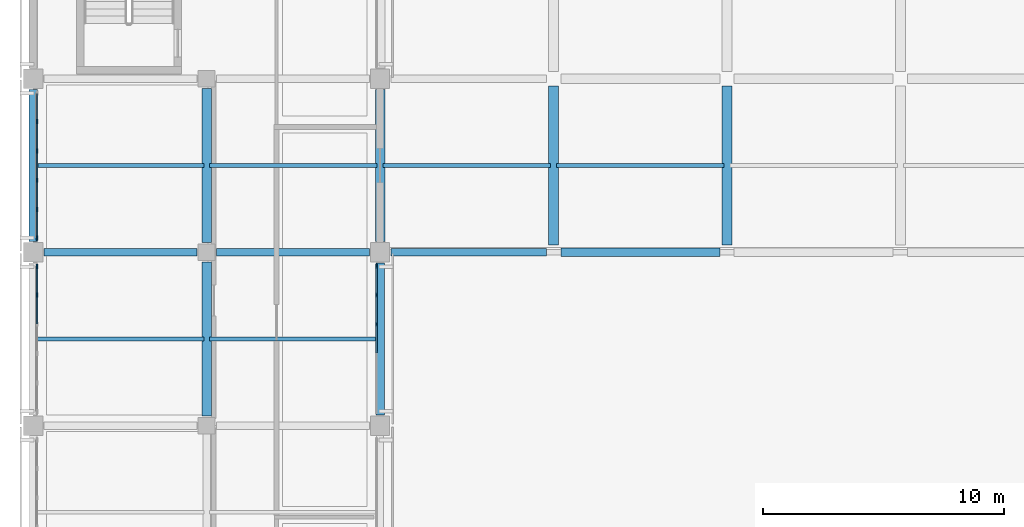
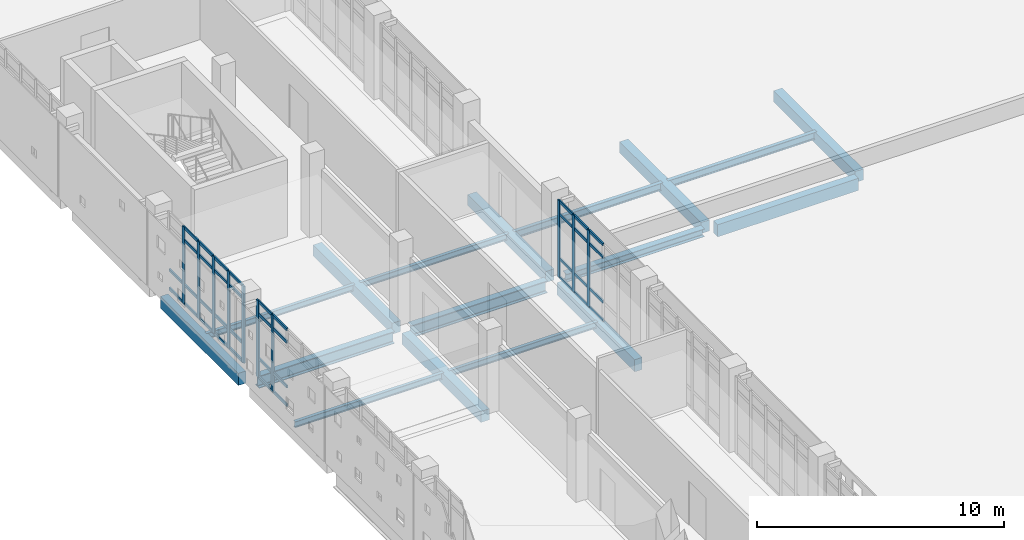
# One storey, part 8 of 51: 48 members, 17 beams, 3 elements without a shape of their own.
"""IFC4 building model written with IfcOpenShell, lengths in metres."""

from ifc_helpers import new_model, si_unit, direction, frame, origin, origin_2d, place, context, subcontext, project, spatial, rectangle, i_section, extrude, material, layer, layer_set, material_profile, profile_set, type_object, element, aggregate, save


model = new_model("IFC4")

# Units and contexts
model_context = context("Model", 3, precision=1e-05, world=origin(), true_north=direction((0.0, 1.0)))
body_context = subcontext(model_context, "Body", "Model", "MODEL_VIEW")
ifc_project = project(units=[si_unit("LENGTHUNIT", "METRE"), si_unit("AREAUNIT", "SQUARE_METRE"), si_unit("VOLUMEUNIT", "CUBIC_METRE"), si_unit("PLANEANGLEUNIT", "RADIAN"), si_unit("MASSUNIT", "GRAM", prefix="KILO")], contexts=[model_context])

# Site, building, storey
site_placement = place(None, origin())
site = spatial("IfcSite", under=ifc_project, at=site_placement, CompositionType="ELEMENT")
building_placement = place(site_placement, origin())
building = spatial("IfcBuilding", under=site, at=building_placement, Name="Valkovuoma Quantum and Materials Research Institute", CompositionType="ELEMENT")
storey_placement = place(building_placement, frame((0.0, 0.0, 17.280029296875)))
storey = spatial("IfcBuildingStorey", under=building, at=storey_placement, Name="L04", CompositionType="ELEMENT", Elevation=17.280029296875)

# Beams
ifc_material_1 = material(Name="Steel S355J2", Category="steel")
ifc_material_profile_1 = material_profile(ifc_material_1, i_section(OverallWidth=0.300048828125, OverallDepth=0.389892578125, WebThickness=0.010986328125, FlangeThickness=0.01904296875, FilletRadius=0.027099609375, at=origin_2d()), Name="Steel S355J2")
ifc_profile_set_1 = profile_set([ifc_material_profile_1], Name="Steel S355J2")
beam_type_1 = type_object("IfcBeamType", Name="Beam-B-HEA400", PredefinedType="SPANDREL", material=ifc_profile_set_1)
beam_1_placement = place(storey_placement, frame((14.85009765625, 64.800048828125, -0.544921875), z_axis=(1.0, 0.0, 0.0), x_axis=(0.0, 1.0, 0.0)))
element("IfcBeam", 1, at=beam_1_placement, inside=storey, type_object=beam_type_1, Name="L04 beam X-1844", PredefinedType="SPANDREL", context=body_context, shape_type="SweptSolid", body=[
    extrude(i_section(OverallWidth=0.300048828125, OverallDepth=0.389892578125, WebThickness=0.010986328125, FlangeThickness=0.01904296875, FilletRadius=0.027099609375, at=origin_2d()), origin(), (0.0, 0.0, 1.0), 6.449951171875),
])
ifc_material_2 = material(Name="Steel S355J2", Category="steel")
ifc_material_profile_2 = material_profile(ifc_material_2, i_section(OverallWidth=0.300048828125, OverallDepth=0.60009765625, WebThickness=0.015380859375, FlangeThickness=0.030029296875, FilletRadius=0.027099609375, at=origin_2d()), Name="Steel S355J2")
ifc_profile_set_2 = profile_set([ifc_material_profile_2], Name="Steel S355J2")
beam_type_2 = type_object("IfcBeamType", Name="Beam-B-HEB600", PredefinedType="BEAM", material=ifc_profile_set_2)
beam_2_placement = place(storey_placement, frame((0.449951171875, 64.800048828125, -0.650146484375), z_axis=(1.0, 0.0, 0.0), x_axis=(0.0, 1.0, 0.0)))
element("IfcBeam", 2, at=beam_2_placement, inside=storey, type_object=beam_type_2, Name="L04 beam X-1842", PredefinedType="BEAM", context=body_context, shape_type="SweptSolid", body=[
    extrude(i_section(OverallWidth=0.300048828125, OverallDepth=0.60009765625, WebThickness=0.015380859375, FlangeThickness=0.030029296875, FilletRadius=0.027099609375, at=origin_2d()), origin(), (0.0, 0.0, 1.0), 6.35009765625),
])
beam_3_placement = place(storey_placement, frame((7.60009765625, 64.800048828125, -0.650146484375), z_axis=(1.0, 0.0, 0.0), x_axis=(0.0, 1.0, 0.0)))
element("IfcBeam", 3, at=beam_3_placement, inside=storey, type_object=beam_type_2, Name="L04 beam X-1843", PredefinedType="BEAM", context=body_context, shape_type="SweptSolid", body=[
    extrude(i_section(OverallWidth=0.300048828125, OverallDepth=0.60009765625, WebThickness=0.015380859375, FlangeThickness=0.030029296875, FilletRadius=0.027099609375, at=origin_2d()), origin(), (0.0, 0.0, 1.0), 6.349853515625),
])
ifc_material_3 = material(Name="Steel S355J2", Category="steel")
ifc_material_profile_3 = material_profile(ifc_material_3, i_section(OverallWidth=0.14990234375, OverallDepth=0.300048828125, WebThickness=0.007080078125, FlangeThickness=0.0107421875, FilletRadius=0.014892578125, at=origin_2d()), Name="Steel S355J2")
ifc_profile_set_3 = profile_set([ifc_material_profile_3], Name="Steel S355J2")
beam_type_3 = type_object("IfcBeamType", Name="Beam-B-JST300", PredefinedType="JOIST", material=ifc_profile_set_3)
for number, where, z_axis, x_axis, name in (
    (4, (0.1201171875, 61.199951171875, -0.5), (1.0, 0.0, 0.0), (0.0, 1.0, 0.0), "L04 floor joist 2040"),
    (5, (7.320068359375, 61.199951171875, -0.5), (1.0, 0.0, 0.0), (0.0, 1.0, 0.0), "L04 floor joist 2041"),
    (6, (0.1201171875, 68.39990234375, -0.5), (1.0, 0.0, 0.0), (0.0, 1.0, 0.0), "L04 floor joist 2046"),
    (7, (7.320068359375, 68.39990234375, -0.5), (1.0, 0.0, 0.0), (0.0, 1.0, 0.0), "L04 floor joist 2047"),
):
    element("IfcBeam", number, at=place(storey_placement, frame(where, z_axis=z_axis, x_axis=x_axis)), inside=storey, type_object=beam_type_3, Name=name, PredefinedType="JOIST", context=body_context, shape_type="SweptSolid", body=[
        extrude(i_section(OverallWidth=0.14990234375, OverallDepth=0.300048828125, WebThickness=0.007080078125, FlangeThickness=0.0107421875, FilletRadius=0.014892578125, at=origin_2d()), origin(), (0.0, 0.0, 1.0), 6.9599609375),
    ])
ifc_material_4 = material(Name="Steel S355J2", Category="steel")
ifc_material_profile_4 = material_profile(ifc_material_4, i_section(OverallWidth=0.169921875, OverallDepth=0.360107421875, WebThickness=0.008056640625, FlangeThickness=0.0126953125, FilletRadius=0.01806640625, at=origin_2d()), Name="Steel S355J2")
ifc_profile_set_4 = profile_set([ifc_material_profile_4], Name="Steel S355J2")
beam_type_4 = type_object("IfcBeamType", Name="Beam-B-JST360", PredefinedType="JOIST", material=ifc_profile_set_4)
for number, where, z_axis, x_axis, name in (
    (8, (14.52001953125, 68.39990234375, -0.530029296875), (1.0, 0.0, 0.0), (0.0, 1.0, 0.0), "L04 floor joist 2048"),
    (9, (21.719970703125, 68.39990234375, -0.530029296875), (1.0, 0.0, 0.0), (0.0, 1.0, 0.0), "L04 floor joist 2049"),
):
    element("IfcBeam", number, at=place(storey_placement, frame(where, z_axis=z_axis, x_axis=x_axis)), inside=storey, type_object=beam_type_4, Name=name, PredefinedType="JOIST", context=body_context, shape_type="SweptSolid", body=[
        extrude(i_section(OverallWidth=0.169921875, OverallDepth=0.360107421875, WebThickness=0.008056640625, FlangeThickness=0.0126953125, FilletRadius=0.01806640625, at=origin_2d()), origin(), (0.0, 0.0, 1.0), 6.9599609375),
    ])
ifc_material_5 = material(Name="Concrete C40/50", Category="concrete")
ifc_material_profile_5 = material_profile(ifc_material_5, rectangle(XDim=0.39990234375, YDim=0.550048828125, at=origin_2d()), Name="Concrete C40/50")
ifc_profile_set_5 = profile_set([ifc_material_profile_5], Name="Concrete C40/50")
beam_type_5 = type_object("IfcBeamType", Name="Beam-B-RC550", PredefinedType="BEAM", material=ifc_profile_set_5)
beam_4_placement = place(storey_placement, frame((7.199951171875, 58.0, -0.625), z_axis=(0.0, 1.0, 0.0), x_axis=(-1.0, 0.0, 0.0)))
element("IfcBeam", 10, at=beam_4_placement, inside=storey, type_object=beam_type_5, Name="L04 beam Y-1922", PredefinedType="BEAM", context=body_context, shape_type="SweptSolid", body=[
    extrude(rectangle(XDim=0.39990234375, YDim=0.550048828125, at=origin_2d()), origin(), (0.0, 0.0, 1.0), 6.39990234375),
])
beam_5_placement = place(storey_placement, frame((7.199951171875, 65.199951171875, -0.625), z_axis=(0.0, 1.0, 0.0), x_axis=(-1.0, 0.0, 0.0)))
element("IfcBeam", 11, at=beam_5_placement, inside=storey, type_object=beam_type_5, Name="L04 beam Y-1923", PredefinedType="BEAM", context=body_context, shape_type="SweptSolid", body=[
    extrude(rectangle(XDim=0.39990234375, YDim=0.550048828125, at=origin_2d()), origin(), (0.0, 0.0, 1.0), 6.400146484375),
])
beam_6_placement = place(storey_placement, frame((14.39990234375, 65.25, -0.625), z_axis=(0.0, 1.0, 0.0), x_axis=(-1.0, 0.0, 0.0)))
element("IfcBeam", 12, at=beam_6_placement, inside=storey, type_object=beam_type_5, Name="L04 beam Y-1926", PredefinedType="BEAM", context=body_context, shape_type="SweptSolid", body=[
    extrude(rectangle(XDim=0.39990234375, YDim=0.550048828125, at=origin_2d()), origin(), (0.0, 0.0, 1.0), 6.300048828125),
])
for number, where, z_axis, x_axis, name in (
    (13, (21.60009765625, 65.10009765625, -0.625), (0.0, 1.0, 0.0), (-1.0, 0.0, 0.0), "L04 beam Y-1932"),
    (14, (28.800048828125, 65.10009765625, -0.625), (0.0, 1.0, 0.0), (-1.0, 0.0, 0.0), "L04 beam Y-1938"),
):
    element("IfcBeam", number, at=place(storey_placement, frame(where, z_axis=z_axis, x_axis=x_axis)), inside=storey, type_object=beam_type_5, Name=name, PredefinedType="BEAM", context=body_context, shape_type="SweptSolid", body=[
        extrude(rectangle(XDim=0.39990234375, YDim=0.550048828125, at=origin_2d()), origin(), (0.0, 0.0, 1.0), 6.599853515625),
    ])
ifc_material_6 = material(Name="Concrete C40/50", Category="concrete")
ifc_material_profile_6 = material_profile(ifc_material_6, rectangle(XDim=0.35009765625, YDim=0.60009765625, at=origin_2d()), Name="Concrete C40/50")
ifc_profile_set_6 = profile_set([ifc_material_profile_6], Name="Concrete C40/50")
beam_type_6 = type_object("IfcBeamType", Name="Beam-B-SPN600", PredefinedType="SPANDREL", material=ifc_profile_set_6)
beam_7_placement = place(storey_placement, frame((21.89990234375, 64.800048828125, -0.650146484375), z_axis=(1.0, 0.0, 0.0), x_axis=(0.0, 1.0, 0.0)))
element("IfcBeam", 15, at=beam_7_placement, inside=storey, type_object=beam_type_6, Name="L04 beam X-1845", PredefinedType="SPANDREL", context=body_context, shape_type="SweptSolid", body=[
    extrude(rectangle(XDim=0.35009765625, YDim=0.60009765625, at=origin_2d()), origin(), (0.0, 0.0, 1.0), 6.60009765625),
])
for number, where, z_axis, x_axis, name in (
    (16, (0.0, 65.25, -0.650146484375), (0.0, 1.0, 0.0), (-1.0, 0.0, 0.0), "L04 beam Y-1918"),
    (17, (14.39990234375, 58.050048828125, -0.650146484375), (0.0, 1.0, 0.0), (-1.0, 0.0, 0.0), "L04 beam Y-1925"),
):
    element("IfcBeam", number, at=place(storey_placement, frame(where, z_axis=z_axis, x_axis=x_axis)), inside=storey, type_object=beam_type_6, Name=name, PredefinedType="SPANDREL", context=body_context, shape_type="SweptSolid", body=[
        extrude(rectangle(XDim=0.35009765625, YDim=0.60009765625, at=origin_2d()), origin(), (0.0, 0.0, 1.0), 6.300048828125),
    ])

# Curtain wall, members
ifc_material_7 = material(Name="Thermally broken aluminium and triple low-E glazing", Category="aluminium")
ifc_layer = layer(ifc_material_7, 0.219970703125)
ifc_layer_set = layer_set([ifc_layer], Name="Thermally broken aluminium and triple low-E glazing")
curtain_wall_type = type_object("IfcCurtainWallType", Name="CW-CW-01", PredefinedType="NOTDEFINED", material=ifc_layer_set)
curtain_wall_1_placement = place(storey_placement, origin())
curtain_wall_1 = element("IfcCurtainWall", 18, at=curtain_wall_1_placement, inside=storey, type_object=curtain_wall_type, Name="L04 curtain wall 047", PredefinedType="NOTDEFINED")
ifc_material_8 = material(Name="Anodised aluminium 6060-T66", Category="aluminium")
ifc_material_profile_7 = material_profile(ifc_material_8, rectangle(XDim=0.06494140625, YDim=0.179931640625, at=origin_2d()), Name="Anodised aluminium 6060-T66")
ifc_profile_set_7 = profile_set([ifc_material_profile_7], Name="Anodised aluminium 6060-T66")
member_type_1 = type_object("IfcMemberType", Name="CWMull-CWM-01", PredefinedType="MULLION", material=ifc_profile_set_7)
member_1_placement = place(storey_placement, frame((0.14990234375, 63.025634765625, 0.0), z_axis=(0.0, 0.0, 1.0), x_axis=(-1.0, 0.0, 0.0)))
member_1 = element("IfcMember", 19, at=member_1_placement, type_object=member_type_1, Name="CW-01 mullion 5", PredefinedType="MULLION", context=body_context, shape_type="SweptSolid", body=[
    extrude(rectangle(XDim=0.06494140625, YDim=0.179931640625, at=origin_2d()), origin(), (0.0, 0.0, 1.0), 3.81005859375),
])
member_2_placement = place(storey_placement, frame((0.14990234375, 64.21044921875, 0.0), z_axis=(0.0, 0.0, 1.0), x_axis=(-1.0, 0.0, 0.0)))
member_2 = element("IfcMember", 20, at=member_2_placement, type_object=member_type_1, Name="CW-01 mullion 6", PredefinedType="MULLION", context=body_context, shape_type="SweptSolid", body=[
    extrude(rectangle(XDim=0.06494140625, YDim=0.179931640625, at=origin_2d()), origin(), (0.0, 0.0, 1.0), 3.81005859375),
])

curtain_wall_2_placement = place(storey_placement, origin())
curtain_wall_2 = element("IfcCurtainWall", 21, at=curtain_wall_2_placement, inside=storey, type_object=curtain_wall_type, Name="L04 curtain wall 048", PredefinedType="NOTDEFINED")
member_3_placement = place(storey_placement, frame((14.25, 61.80859375, 0.0), z_axis=(0.0, 0.0, 1.0), x_axis=(-1.0, 0.0, 0.0)))
member_3 = element("IfcMember", 22, at=member_3_placement, type_object=member_type_1, Name="CW-01 mullion 4", PredefinedType="MULLION", context=body_context, shape_type="SweptSolid", body=[
    extrude(rectangle(XDim=0.06494140625, YDim=0.179931640625, at=origin_2d()), origin(), (0.0, 0.0, 1.0), 3.81005859375),
])
member_4_placement = place(storey_placement, frame((14.25, 63.025634765625, 0.0), z_axis=(0.0, 0.0, 1.0), x_axis=(-1.0, 0.0, 0.0)))
member_4 = element("IfcMember", 23, at=member_4_placement, type_object=member_type_1, Name="CW-01 mullion 5", PredefinedType="MULLION", context=body_context, shape_type="SweptSolid", body=[
    extrude(rectangle(XDim=0.06494140625, YDim=0.179931640625, at=origin_2d()), origin(), (0.0, 0.0, 1.0), 3.81005859375),
])
member_5_placement = place(storey_placement, frame((14.25, 64.21044921875, 0.0), z_axis=(0.0, 0.0, 1.0), x_axis=(-1.0, 0.0, 0.0)))
member_5 = element("IfcMember", 24, at=member_5_placement, type_object=member_type_1, Name="CW-01 mullion 6", PredefinedType="MULLION", context=body_context, shape_type="SweptSolid", body=[
    extrude(rectangle(XDim=0.06494140625, YDim=0.179931640625, at=origin_2d()), origin(), (0.0, 0.0, 1.0), 3.81005859375),
])

curtain_wall_3_placement = place(storey_placement, origin())
curtain_wall_3 = element("IfcCurtainWall", 25, at=curtain_wall_3_placement, inside=storey, type_object=curtain_wall_type, Name="L04 curtain wall 049", PredefinedType="NOTDEFINED")
member_6_placement = place(storey_placement, frame((0.14990234375, 65.3896484375, 0.0), z_axis=(0.0, 0.0, 1.0), x_axis=(-1.0, 0.0, 0.0)))
member_6 = element("IfcMember", 26, at=member_6_placement, type_object=member_type_1, Name="CW-01 mullion 1", PredefinedType="MULLION", context=body_context, shape_type="SweptSolid", body=[
    extrude(rectangle(XDim=0.06494140625, YDim=0.179931640625, at=origin_2d()), origin(), (0.0, 0.0, 1.0), 3.81005859375),
])
member_7_placement = place(storey_placement, frame((0.14990234375, 66.57421875, 0.0), z_axis=(0.0, 0.0, 1.0), x_axis=(-1.0, 0.0, 0.0)))
member_7 = element("IfcMember", 27, at=member_7_placement, type_object=member_type_1, Name="CW-01 mullion 2", PredefinedType="MULLION", context=body_context, shape_type="SweptSolid", body=[
    extrude(rectangle(XDim=0.06494140625, YDim=0.179931640625, at=origin_2d()), origin(), (0.0, 0.0, 1.0), 3.81005859375),
])
member_8_placement = place(storey_placement, frame((0.14990234375, 67.79150390625, 0.0), z_axis=(0.0, 0.0, 1.0), x_axis=(-1.0, 0.0, 0.0)))
member_8 = element("IfcMember", 28, at=member_8_placement, type_object=member_type_1, Name="CW-01 mullion 3", PredefinedType="MULLION", context=body_context, shape_type="SweptSolid", body=[
    extrude(rectangle(XDim=0.06494140625, YDim=0.179931640625, at=origin_2d()), origin(), (0.0, 0.0, 1.0), 3.81005859375),
])
member_9_placement = place(storey_placement, frame((0.14990234375, 69.008544921875, 0.0), z_axis=(0.0, 0.0, 1.0), x_axis=(-1.0, 0.0, 0.0)))
member_9 = element("IfcMember", 29, at=member_9_placement, type_object=member_type_1, Name="CW-01 mullion 4", PredefinedType="MULLION", context=body_context, shape_type="SweptSolid", body=[
    extrude(rectangle(XDim=0.06494140625, YDim=0.179931640625, at=origin_2d()), origin(), (0.0, 0.0, 1.0), 3.81005859375),
])
member_10_placement = place(storey_placement, frame((0.14990234375, 70.225830078125, 0.0), z_axis=(0.0, 0.0, 1.0), x_axis=(-1.0, 0.0, 0.0)))
member_10 = element("IfcMember", 30, at=member_10_placement, type_object=member_type_1, Name="CW-01 mullion 5", PredefinedType="MULLION", context=body_context, shape_type="SweptSolid", body=[
    extrude(rectangle(XDim=0.06494140625, YDim=0.179931640625, at=origin_2d()), origin(), (0.0, 0.0, 1.0), 3.81005859375),
])

# Member
ifc_material_9 = material(Name="Anodised aluminium 6060-T66", Category="aluminium")
ifc_material_profile_8 = material_profile(ifc_material_9, rectangle(XDim=0.06494140625, YDim=0.139892578125, at=origin_2d()), Name="Anodised aluminium 6060-T66")
ifc_profile_set_8 = profile_set([ifc_material_profile_8], Name="Anodised aluminium 6060-T66")
member_type_2 = type_object("IfcMemberType", Name="CWTran-CWT-01", PredefinedType="USERDEFINED", material=ifc_profile_set_8)
member_11_placement = place(storey_placement, frame((0.14990234375, 61.841064453125, 0.032470703125), z_axis=(0.0, 1.0, 0.0), x_axis=(-1.0, 0.0, 0.0)))
member_11 = element("IfcMember", 31, at=member_11_placement, type_object=member_type_2, Name="CW-01 transom 4.1", ObjectType="TRANSOM", PredefinedType="USERDEFINED", context=body_context, shape_type="SweptSolid", body=[
    extrude(rectangle(XDim=0.06494140625, YDim=0.139892578125, at=origin_2d()), origin(), (0.0, 0.0, 1.0), 1.152099609375),
])

member_12_placement = place(storey_placement, frame((0.14990234375, 61.841064453125, 0.949951171875), z_axis=(0.0, 1.0, 0.0), x_axis=(-1.0, 0.0, 0.0)))
member_12 = element("IfcMember", 32, at=member_12_placement, type_object=member_type_2, Name="CW-01 transom 4.2", ObjectType="TRANSOM", PredefinedType="USERDEFINED", context=body_context, shape_type="SweptSolid", body=[
    extrude(rectangle(XDim=0.06494140625, YDim=0.139892578125, at=origin_2d()), origin(), (0.0, 0.0, 1.0), 1.152099609375),
])

member_13_placement = place(storey_placement, frame((0.14990234375, 61.841064453125, 3.159912109375), z_axis=(0.0, 1.0, 0.0), x_axis=(-1.0, 0.0, 0.0)))
member_13 = element("IfcMember", 33, at=member_13_placement, type_object=member_type_2, Name="CW-01 transom 4.3", ObjectType="TRANSOM", PredefinedType="USERDEFINED", context=body_context, shape_type="SweptSolid", body=[
    extrude(rectangle(XDim=0.06494140625, YDim=0.139892578125, at=origin_2d()), origin(), (0.0, 0.0, 1.0), 1.152099609375),
])

member_14_placement = place(storey_placement, frame((0.14990234375, 61.841064453125, 3.777587890625), z_axis=(0.0, 1.0, 0.0), x_axis=(-1.0, 0.0, 0.0)))
member_14 = element("IfcMember", 34, at=member_14_placement, type_object=member_type_2, Name="CW-01 transom 4.4", ObjectType="TRANSOM", PredefinedType="USERDEFINED", context=body_context, shape_type="SweptSolid", body=[
    extrude(rectangle(XDim=0.06494140625, YDim=0.139892578125, at=origin_2d()), origin(), (0.0, 0.0, 1.0), 1.152099609375),
])

member_15_placement = place(storey_placement, frame((0.14990234375, 63.058349609375, 0.032470703125), z_axis=(0.0, 1.0, 0.0), x_axis=(-1.0, 0.0, 0.0)))
member_15 = element("IfcMember", 35, at=member_15_placement, type_object=member_type_2, Name="CW-01 transom 5.1", ObjectType="TRANSOM", PredefinedType="USERDEFINED", context=body_context, shape_type="SweptSolid", body=[
    extrude(rectangle(XDim=0.06494140625, YDim=0.139892578125, at=origin_2d()), origin(), (0.0, 0.0, 1.0), 1.11962890625),
])

member_16_placement = place(storey_placement, frame((0.14990234375, 63.058349609375, 0.949951171875), z_axis=(0.0, 1.0, 0.0), x_axis=(-1.0, 0.0, 0.0)))
member_16 = element("IfcMember", 36, at=member_16_placement, type_object=member_type_2, Name="CW-01 transom 5.2", ObjectType="TRANSOM", PredefinedType="USERDEFINED", context=body_context, shape_type="SweptSolid", body=[
    extrude(rectangle(XDim=0.06494140625, YDim=0.139892578125, at=origin_2d()), origin(), (0.0, 0.0, 1.0), 1.11962890625),
])

member_17_placement = place(storey_placement, frame((0.14990234375, 63.058349609375, 3.159912109375), z_axis=(0.0, 1.0, 0.0), x_axis=(-1.0, 0.0, 0.0)))
member_17 = element("IfcMember", 37, at=member_17_placement, type_object=member_type_2, Name="CW-01 transom 5.3", ObjectType="TRANSOM", PredefinedType="USERDEFINED", context=body_context, shape_type="SweptSolid", body=[
    extrude(rectangle(XDim=0.06494140625, YDim=0.139892578125, at=origin_2d()), origin(), (0.0, 0.0, 1.0), 1.11962890625),
])

member_18_placement = place(storey_placement, frame((0.14990234375, 63.058349609375, 3.777587890625), z_axis=(0.0, 1.0, 0.0), x_axis=(-1.0, 0.0, 0.0)))
member_18 = element("IfcMember", 38, at=member_18_placement, type_object=member_type_2, Name="CW-01 transom 5.4", ObjectType="TRANSOM", PredefinedType="USERDEFINED", context=body_context, shape_type="SweptSolid", body=[
    extrude(rectangle(XDim=0.06494140625, YDim=0.139892578125, at=origin_2d()), origin(), (0.0, 0.0, 1.0), 1.11962890625),
])

aggregate(curtain_wall_1, [member_1, member_2, member_11, member_12, member_13, member_14, member_15, member_16, member_17, member_18])

member_19_placement = place(storey_placement, frame((14.25, 60.6240234375, 0.032470703125), z_axis=(0.0, 1.0, 0.0), x_axis=(-1.0, 0.0, 0.0)))
member_19 = element("IfcMember", 39, at=member_19_placement, type_object=member_type_2, Name="CW-01 transom 3.1", ObjectType="TRANSOM", PredefinedType="USERDEFINED", context=body_context, shape_type="SweptSolid", body=[
    extrude(rectangle(XDim=0.06494140625, YDim=0.139892578125, at=origin_2d()), origin(), (0.0, 0.0, 1.0), 1.152099609375),
])

member_20_placement = place(storey_placement, frame((14.25, 60.6240234375, 0.949951171875), z_axis=(0.0, 1.0, 0.0), x_axis=(-1.0, 0.0, 0.0)))
member_20 = element("IfcMember", 40, at=member_20_placement, type_object=member_type_2, Name="CW-01 transom 3.2", ObjectType="TRANSOM", PredefinedType="USERDEFINED", context=body_context, shape_type="SweptSolid", body=[
    extrude(rectangle(XDim=0.06494140625, YDim=0.139892578125, at=origin_2d()), origin(), (0.0, 0.0, 1.0), 1.152099609375),
])

member_21_placement = place(storey_placement, frame((14.25, 60.6240234375, 3.159912109375), z_axis=(0.0, 1.0, 0.0), x_axis=(-1.0, 0.0, 0.0)))
member_21 = element("IfcMember", 41, at=member_21_placement, type_object=member_type_2, Name="CW-01 transom 3.3", ObjectType="TRANSOM", PredefinedType="USERDEFINED", context=body_context, shape_type="SweptSolid", body=[
    extrude(rectangle(XDim=0.06494140625, YDim=0.139892578125, at=origin_2d()), origin(), (0.0, 0.0, 1.0), 1.152099609375),
])

member_22_placement = place(storey_placement, frame((14.25, 60.6240234375, 3.777587890625), z_axis=(0.0, 1.0, 0.0), x_axis=(-1.0, 0.0, 0.0)))
member_22 = element("IfcMember", 42, at=member_22_placement, type_object=member_type_2, Name="CW-01 transom 3.4", ObjectType="TRANSOM", PredefinedType="USERDEFINED", context=body_context, shape_type="SweptSolid", body=[
    extrude(rectangle(XDim=0.06494140625, YDim=0.139892578125, at=origin_2d()), origin(), (0.0, 0.0, 1.0), 1.152099609375),
])

member_23_placement = place(storey_placement, frame((14.25, 61.841064453125, 0.032470703125), z_axis=(0.0, 1.0, 0.0), x_axis=(-1.0, 0.0, 0.0)))
member_23 = element("IfcMember", 43, at=member_23_placement, type_object=member_type_2, Name="CW-01 transom 4.1", ObjectType="TRANSOM", PredefinedType="USERDEFINED", context=body_context, shape_type="SweptSolid", body=[
    extrude(rectangle(XDim=0.06494140625, YDim=0.139892578125, at=origin_2d()), origin(), (0.0, 0.0, 1.0), 1.152099609375),
])

member_24_placement = place(storey_placement, frame((14.25, 61.841064453125, 0.949951171875), z_axis=(0.0, 1.0, 0.0), x_axis=(-1.0, 0.0, 0.0)))
member_24 = element("IfcMember", 44, at=member_24_placement, type_object=member_type_2, Name="CW-01 transom 4.2", ObjectType="TRANSOM", PredefinedType="USERDEFINED", context=body_context, shape_type="SweptSolid", body=[
    extrude(rectangle(XDim=0.06494140625, YDim=0.139892578125, at=origin_2d()), origin(), (0.0, 0.0, 1.0), 1.152099609375),
])

member_25_placement = place(storey_placement, frame((14.25, 61.841064453125, 3.159912109375), z_axis=(0.0, 1.0, 0.0), x_axis=(-1.0, 0.0, 0.0)))
member_25 = element("IfcMember", 45, at=member_25_placement, type_object=member_type_2, Name="CW-01 transom 4.3", ObjectType="TRANSOM", PredefinedType="USERDEFINED", context=body_context, shape_type="SweptSolid", body=[
    extrude(rectangle(XDim=0.06494140625, YDim=0.139892578125, at=origin_2d()), origin(), (0.0, 0.0, 1.0), 1.152099609375),
])

member_26_placement = place(storey_placement, frame((14.25, 61.841064453125, 3.777587890625), z_axis=(0.0, 1.0, 0.0), x_axis=(-1.0, 0.0, 0.0)))
member_26 = element("IfcMember", 46, at=member_26_placement, type_object=member_type_2, Name="CW-01 transom 4.4", ObjectType="TRANSOM", PredefinedType="USERDEFINED", context=body_context, shape_type="SweptSolid", body=[
    extrude(rectangle(XDim=0.06494140625, YDim=0.139892578125, at=origin_2d()), origin(), (0.0, 0.0, 1.0), 1.152099609375),
])

member_27_placement = place(storey_placement, frame((14.25, 63.058349609375, 0.032470703125), z_axis=(0.0, 1.0, 0.0), x_axis=(-1.0, 0.0, 0.0)))
member_27 = element("IfcMember", 47, at=member_27_placement, type_object=member_type_2, Name="CW-01 transom 5.1", ObjectType="TRANSOM", PredefinedType="USERDEFINED", context=body_context, shape_type="SweptSolid", body=[
    extrude(rectangle(XDim=0.06494140625, YDim=0.139892578125, at=origin_2d()), origin(), (0.0, 0.0, 1.0), 1.11962890625),
])

member_28_placement = place(storey_placement, frame((14.25, 63.058349609375, 0.949951171875), z_axis=(0.0, 1.0, 0.0), x_axis=(-1.0, 0.0, 0.0)))
member_28 = element("IfcMember", 48, at=member_28_placement, type_object=member_type_2, Name="CW-01 transom 5.2", ObjectType="TRANSOM", PredefinedType="USERDEFINED", context=body_context, shape_type="SweptSolid", body=[
    extrude(rectangle(XDim=0.06494140625, YDim=0.139892578125, at=origin_2d()), origin(), (0.0, 0.0, 1.0), 1.11962890625),
])

member_29_placement = place(storey_placement, frame((14.25, 63.058349609375, 3.159912109375), z_axis=(0.0, 1.0, 0.0), x_axis=(-1.0, 0.0, 0.0)))
member_29 = element("IfcMember", 49, at=member_29_placement, type_object=member_type_2, Name="CW-01 transom 5.3", ObjectType="TRANSOM", PredefinedType="USERDEFINED", context=body_context, shape_type="SweptSolid", body=[
    extrude(rectangle(XDim=0.06494140625, YDim=0.139892578125, at=origin_2d()), origin(), (0.0, 0.0, 1.0), 1.11962890625),
])

member_30_placement = place(storey_placement, frame((14.25, 63.058349609375, 3.777587890625), z_axis=(0.0, 1.0, 0.0), x_axis=(-1.0, 0.0, 0.0)))
member_30 = element("IfcMember", 50, at=member_30_placement, type_object=member_type_2, Name="CW-01 transom 5.4", ObjectType="TRANSOM", PredefinedType="USERDEFINED", context=body_context, shape_type="SweptSolid", body=[
    extrude(rectangle(XDim=0.06494140625, YDim=0.139892578125, at=origin_2d()), origin(), (0.0, 0.0, 1.0), 1.11962890625),
])

aggregate(curtain_wall_2, [member_3, member_4, member_5, member_19, member_20, member_21, member_22, member_23, member_24, member_25, member_26, member_27, member_28, member_29, member_30])

member_31_placement = place(storey_placement, frame((0.14990234375, 65.422119140625, 0.032470703125), z_axis=(0.0, 1.0, 0.0), x_axis=(-1.0, 0.0, 0.0)))
member_31 = element("IfcMember", 51, at=member_31_placement, type_object=member_type_2, Name="CW-01 transom 1.1", ObjectType="TRANSOM", PredefinedType="USERDEFINED", context=body_context, shape_type="SweptSolid", body=[
    extrude(rectangle(XDim=0.06494140625, YDim=0.139892578125, at=origin_2d()), origin(), (0.0, 0.0, 1.0), 1.11962890625),
])

member_32_placement = place(storey_placement, frame((0.14990234375, 65.422119140625, 0.949951171875), z_axis=(0.0, 1.0, 0.0), x_axis=(-1.0, 0.0, 0.0)))
member_32 = element("IfcMember", 52, at=member_32_placement, type_object=member_type_2, Name="CW-01 transom 1.2", ObjectType="TRANSOM", PredefinedType="USERDEFINED", context=body_context, shape_type="SweptSolid", body=[
    extrude(rectangle(XDim=0.06494140625, YDim=0.139892578125, at=origin_2d()), origin(), (0.0, 0.0, 1.0), 1.11962890625),
])

member_33_placement = place(storey_placement, frame((0.14990234375, 65.422119140625, 3.159912109375), z_axis=(0.0, 1.0, 0.0), x_axis=(-1.0, 0.0, 0.0)))
member_33 = element("IfcMember", 53, at=member_33_placement, type_object=member_type_2, Name="CW-01 transom 1.3", ObjectType="TRANSOM", PredefinedType="USERDEFINED", context=body_context, shape_type="SweptSolid", body=[
    extrude(rectangle(XDim=0.06494140625, YDim=0.139892578125, at=origin_2d()), origin(), (0.0, 0.0, 1.0), 1.11962890625),
])

member_34_placement = place(storey_placement, frame((0.14990234375, 65.422119140625, 3.777587890625), z_axis=(0.0, 1.0, 0.0), x_axis=(-1.0, 0.0, 0.0)))
member_34 = element("IfcMember", 54, at=member_34_placement, type_object=member_type_2, Name="CW-01 transom 1.4", ObjectType="TRANSOM", PredefinedType="USERDEFINED", context=body_context, shape_type="SweptSolid", body=[
    extrude(rectangle(XDim=0.06494140625, YDim=0.139892578125, at=origin_2d()), origin(), (0.0, 0.0, 1.0), 1.11962890625),
])

member_35_placement = place(storey_placement, frame((0.14990234375, 66.606689453125, 0.032470703125), z_axis=(0.0, 1.0, 0.0), x_axis=(-1.0, 0.0, 0.0)))
member_35 = element("IfcMember", 55, at=member_35_placement, type_object=member_type_2, Name="CW-01 transom 2.1", ObjectType="TRANSOM", PredefinedType="USERDEFINED", context=body_context, shape_type="SweptSolid", body=[
    extrude(rectangle(XDim=0.06494140625, YDim=0.139892578125, at=origin_2d()), origin(), (0.0, 0.0, 1.0), 1.15234375),
])

member_36_placement = place(storey_placement, frame((0.14990234375, 66.606689453125, 0.949951171875), z_axis=(0.0, 1.0, 0.0), x_axis=(-1.0, 0.0, 0.0)))
member_36 = element("IfcMember", 56, at=member_36_placement, type_object=member_type_2, Name="CW-01 transom 2.2", ObjectType="TRANSOM", PredefinedType="USERDEFINED", context=body_context, shape_type="SweptSolid", body=[
    extrude(rectangle(XDim=0.06494140625, YDim=0.139892578125, at=origin_2d()), origin(), (0.0, 0.0, 1.0), 1.15234375),
])

member_37_placement = place(storey_placement, frame((0.14990234375, 66.606689453125, 3.159912109375), z_axis=(0.0, 1.0, 0.0), x_axis=(-1.0, 0.0, 0.0)))
member_37 = element("IfcMember", 57, at=member_37_placement, type_object=member_type_2, Name="CW-01 transom 2.3", ObjectType="TRANSOM", PredefinedType="USERDEFINED", context=body_context, shape_type="SweptSolid", body=[
    extrude(rectangle(XDim=0.06494140625, YDim=0.139892578125, at=origin_2d()), origin(), (0.0, 0.0, 1.0), 1.15234375),
])

member_38_placement = place(storey_placement, frame((0.14990234375, 66.606689453125, 3.777587890625), z_axis=(0.0, 1.0, 0.0), x_axis=(-1.0, 0.0, 0.0)))
member_38 = element("IfcMember", 58, at=member_38_placement, type_object=member_type_2, Name="CW-01 transom 2.4", ObjectType="TRANSOM", PredefinedType="USERDEFINED", context=body_context, shape_type="SweptSolid", body=[
    extrude(rectangle(XDim=0.06494140625, YDim=0.139892578125, at=origin_2d()), origin(), (0.0, 0.0, 1.0), 1.15234375),
])

member_39_placement = place(storey_placement, frame((0.14990234375, 67.823974609375, 0.032470703125), z_axis=(0.0, 1.0, 0.0), x_axis=(-1.0, 0.0, 0.0)))
member_39 = element("IfcMember", 59, at=member_39_placement, type_object=member_type_2, Name="CW-01 transom 3.1", ObjectType="TRANSOM", PredefinedType="USERDEFINED", context=body_context, shape_type="SweptSolid", body=[
    extrude(rectangle(XDim=0.06494140625, YDim=0.139892578125, at=origin_2d()), origin(), (0.0, 0.0, 1.0), 1.152099609375),
])

member_40_placement = place(storey_placement, frame((0.14990234375, 67.823974609375, 0.949951171875), z_axis=(0.0, 1.0, 0.0), x_axis=(-1.0, 0.0, 0.0)))
member_40 = element("IfcMember", 60, at=member_40_placement, type_object=member_type_2, Name="CW-01 transom 3.2", ObjectType="TRANSOM", PredefinedType="USERDEFINED", context=body_context, shape_type="SweptSolid", body=[
    extrude(rectangle(XDim=0.06494140625, YDim=0.139892578125, at=origin_2d()), origin(), (0.0, 0.0, 1.0), 1.152099609375),
])

member_41_placement = place(storey_placement, frame((0.14990234375, 67.823974609375, 3.159912109375), z_axis=(0.0, 1.0, 0.0), x_axis=(-1.0, 0.0, 0.0)))
member_41 = element("IfcMember", 61, at=member_41_placement, type_object=member_type_2, Name="CW-01 transom 3.3", ObjectType="TRANSOM", PredefinedType="USERDEFINED", context=body_context, shape_type="SweptSolid", body=[
    extrude(rectangle(XDim=0.06494140625, YDim=0.139892578125, at=origin_2d()), origin(), (0.0, 0.0, 1.0), 1.152099609375),
])

member_42_placement = place(storey_placement, frame((0.14990234375, 67.823974609375, 3.777587890625), z_axis=(0.0, 1.0, 0.0), x_axis=(-1.0, 0.0, 0.0)))
member_42 = element("IfcMember", 62, at=member_42_placement, type_object=member_type_2, Name="CW-01 transom 3.4", ObjectType="TRANSOM", PredefinedType="USERDEFINED", context=body_context, shape_type="SweptSolid", body=[
    extrude(rectangle(XDim=0.06494140625, YDim=0.139892578125, at=origin_2d()), origin(), (0.0, 0.0, 1.0), 1.152099609375),
])

member_43_placement = place(storey_placement, frame((0.14990234375, 69.041015625, 0.032470703125), z_axis=(0.0, 1.0, 0.0), x_axis=(-1.0, 0.0, 0.0)))
member_43 = element("IfcMember", 63, at=member_43_placement, type_object=member_type_2, Name="CW-01 transom 4.1", ObjectType="TRANSOM", PredefinedType="USERDEFINED", context=body_context, shape_type="SweptSolid", body=[
    extrude(rectangle(XDim=0.06494140625, YDim=0.139892578125, at=origin_2d()), origin(), (0.0, 0.0, 1.0), 1.15234375),
])

member_44_placement = place(storey_placement, frame((0.14990234375, 69.041015625, 0.949951171875), z_axis=(0.0, 1.0, 0.0), x_axis=(-1.0, 0.0, 0.0)))
member_44 = element("IfcMember", 64, at=member_44_placement, type_object=member_type_2, Name="CW-01 transom 4.2", ObjectType="TRANSOM", PredefinedType="USERDEFINED", context=body_context, shape_type="SweptSolid", body=[
    extrude(rectangle(XDim=0.06494140625, YDim=0.139892578125, at=origin_2d()), origin(), (0.0, 0.0, 1.0), 1.15234375),
])

member_45_placement = place(storey_placement, frame((0.14990234375, 69.041015625, 3.159912109375), z_axis=(0.0, 1.0, 0.0), x_axis=(-1.0, 0.0, 0.0)))
member_45 = element("IfcMember", 65, at=member_45_placement, type_object=member_type_2, Name="CW-01 transom 4.3", ObjectType="TRANSOM", PredefinedType="USERDEFINED", context=body_context, shape_type="SweptSolid", body=[
    extrude(rectangle(XDim=0.06494140625, YDim=0.139892578125, at=origin_2d()), origin(), (0.0, 0.0, 1.0), 1.15234375),
])

member_46_placement = place(storey_placement, frame((0.14990234375, 69.041015625, 3.777587890625), z_axis=(0.0, 1.0, 0.0), x_axis=(-1.0, 0.0, 0.0)))
member_46 = element("IfcMember", 66, at=member_46_placement, type_object=member_type_2, Name="CW-01 transom 4.4", ObjectType="TRANSOM", PredefinedType="USERDEFINED", context=body_context, shape_type="SweptSolid", body=[
    extrude(rectangle(XDim=0.06494140625, YDim=0.139892578125, at=origin_2d()), origin(), (0.0, 0.0, 1.0), 1.15234375),
])

member_47_placement = place(storey_placement, frame((0.14990234375, 70.25830078125, 0.032470703125), z_axis=(0.0, 1.0, 0.0), x_axis=(-1.0, 0.0, 0.0)))
member_47 = element("IfcMember", 67, at=member_47_placement, type_object=member_type_2, Name="CW-01 transom 5.1", ObjectType="TRANSOM", PredefinedType="USERDEFINED", context=body_context, shape_type="SweptSolid", body=[
    extrude(rectangle(XDim=0.06494140625, YDim=0.139892578125, at=origin_2d()), origin(), (0.0, 0.0, 1.0), 1.11962890625),
])

member_48_placement = place(storey_placement, frame((0.14990234375, 70.25830078125, 0.949951171875), z_axis=(0.0, 1.0, 0.0), x_axis=(-1.0, 0.0, 0.0)))
member_48 = element("IfcMember", 68, at=member_48_placement, type_object=member_type_2, Name="CW-01 transom 5.2", ObjectType="TRANSOM", PredefinedType="USERDEFINED", context=body_context, shape_type="SweptSolid", body=[
    extrude(rectangle(XDim=0.06494140625, YDim=0.139892578125, at=origin_2d()), origin(), (0.0, 0.0, 1.0), 1.11962890625),
])

aggregate(curtain_wall_3, [member_6, member_7, member_8, member_9, member_10, member_31, member_32, member_33, member_34, member_35, member_36, member_37, member_38, member_39, member_40, member_41, member_42, member_43, member_44, member_45, member_46, member_47, member_48])

save(model, "model.ifc")
